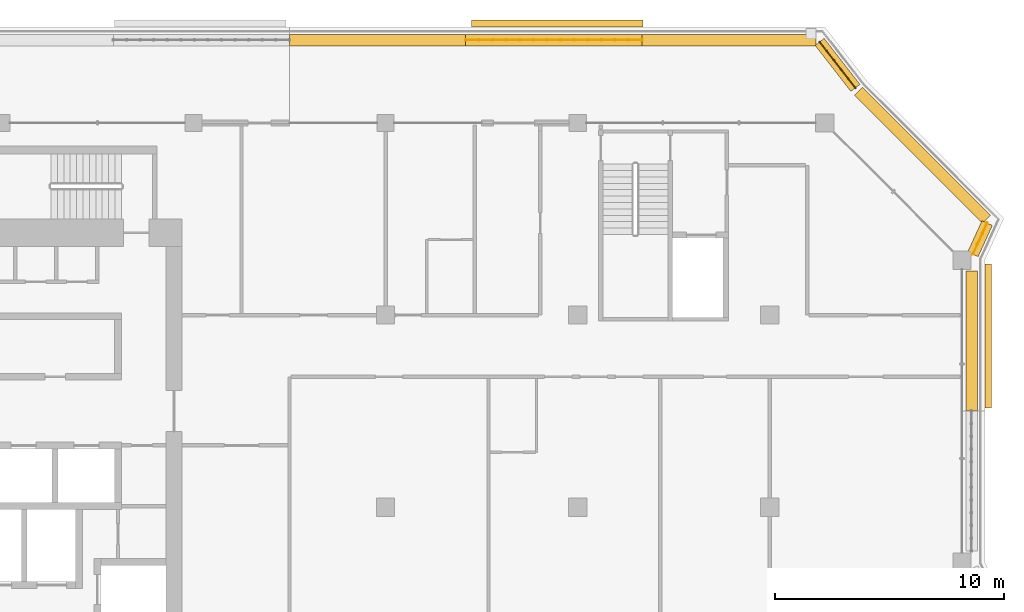
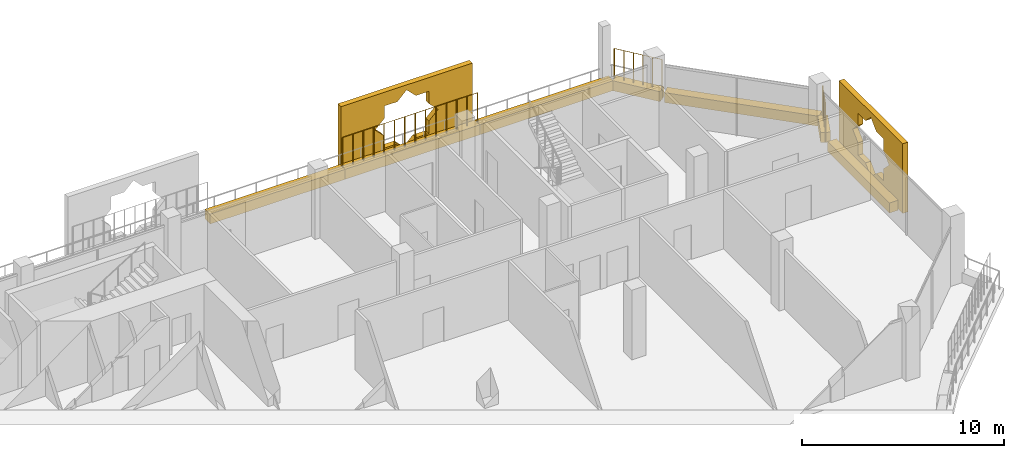
# One storey, part 21 of 21: 9 coverings, 3 railings.
"""IFC4 building model written with IfcOpenShell, lengths in metres."""

from ifc_helpers import new_model, si_unit, direction, frame, origin, origin_2d, place, context, subcontext, project, spatial, polyline, rectangle, circle, outline, extrude, material, material_profile, profile_set, type_object, element, save


model = new_model("IFC4")

# Units and contexts
model_context = context("Model", 3, precision=1e-05, world=origin(), true_north=direction((0.0, 1.0)))
body_context = subcontext(model_context, "Body", "Model", "MODEL_VIEW")
ifc_project = project(units=[si_unit("LENGTHUNIT", "METRE"), si_unit("AREAUNIT", "SQUARE_METRE"), si_unit("VOLUMEUNIT", "CUBIC_METRE"), si_unit("PLANEANGLEUNIT", "RADIAN"), si_unit("MASSUNIT", "GRAM", prefix="KILO")], contexts=[model_context])

# Site, building, storey
site_placement = place(None, origin())
site = spatial("IfcSite", under=ifc_project, at=site_placement, CompositionType="ELEMENT")
building_placement = place(site_placement, origin())
building = spatial("IfcBuilding", under=site, at=building_placement, Name="Kawkab Arch Medical Tower", CompositionType="ELEMENT")
storey_placement = place(building_placement, frame((0.0, 0.0, 323.800048828125)))
storey = spatial("IfcBuildingStorey", under=building, at=storey_placement, Name="L75", CompositionType="ELEMENT", Elevation=323.800048828125)

# Coverings
ifc_material_1 = material(Name="Bronze anodised aluminium mashrabiya panel, eight-point star pattern", Category="aluminium")
ifc_material_profile_1 = material_profile(ifc_material_1, outline(polyline([(-3.14990234375, -2.10009765625), (3.14990234375, -2.10009765625), (3.14990234375, 2.10009765625), (-3.14990234375, 2.10009765625), (-3.14990234375, -2.10009765625)]), holes=[polyline([(1.800048828125, 0.0), (1.272705078125, 0.527099609375), (1.272705078125, 1.272705078125), (0.527099609375, 1.272705078125), (0.0, 1.800048828125), (-0.527099609375, 1.272705078125), (-1.272705078125, 1.272705078125), (-1.272705078125, 0.527099609375), (-1.800048828125, 0.0), (-1.272705078125, -0.527099609375), (-1.272705078125, -1.272705078125), (-0.527099609375, -1.272705078125), (0.0, -1.800048828125), (0.527099609375, -1.272705078125), (1.272705078125, -1.272705078125), (1.272705078125, -0.527099609375), (1.800048828125, 0.0)])]), Name="Mashrabiya panel 6300x4200")
ifc_profile_set_1 = profile_set([ifc_material_profile_1], Name="Bronze anodised aluminium mashrabiya panel, eight-point star pattern")
covering_type_1 = type_object("IfcCoveringType", Name="Mashrabiya panel 6300 x 4200", PredefinedType="USERDEFINED", material=ifc_profile_set_1)
covering_1_placement = place(storey_placement, frame((59.800048828125, -9.31884765625, 1.699951171875), z_axis=(1.0, 0.0, 0.0), x_axis=(0.0, 1.0, 0.0)))
element("IfcCovering", 1, at=covering_1_placement, inside=storey, type_object=covering_type_1, Name="Mashrabiya panel L75.LOG-01-01.6", ObjectType="SCREEN", PredefinedType="USERDEFINED", context=body_context, shape_type="SweptSolid", body=[
    extrude(outline(polyline([(-3.14990234375, -2.10009765625), (3.14990234375, -2.10009765625), (3.14990234375, 2.10009765625), (-3.14990234375, 2.10009765625), (-3.14990234375, -2.10009765625)]), holes=[polyline([(1.800048828125, 0.0), (1.272705078125, 0.527099609375), (1.272705078125, 1.272705078125), (0.527099609375, 1.272705078125), (0.0, 1.800048828125), (-0.527099609375, 1.272705078125), (-1.272705078125, 1.272705078125), (-1.272705078125, 0.527099609375), (-1.800048828125, 0.0), (-1.272705078125, -0.527099609375), (-1.272705078125, -1.272705078125), (-0.527099609375, -1.272705078125), (0.0, -1.800048828125), (0.527099609375, -1.272705078125), (1.272705078125, -1.272705078125), (1.272705078125, -0.527099609375), (1.800048828125, 0.0)])]), origin(), (0.0, 0.0, 1.0), 0.300048828125),
])
ifc_material_2 = material(Name="Bronze anodised aluminium mashrabiya panel, eight-point star pattern", Category="aluminium")
ifc_material_profile_2 = material_profile(ifc_material_2, outline(polyline([(-3.75, -2.10009765625), (3.75, -2.10009765625), (3.75, 2.10009765625), (-3.75, 2.10009765625), (-3.75, -2.10009765625)]), holes=[polyline([(1.800048828125, 0.0), (1.272705078125, 0.527099609375), (1.272705078125, 1.272705078125), (0.527099609375, 1.272705078125), (0.0, 1.800048828125), (-0.527099609375, 1.272705078125), (-1.272705078125, 1.272705078125), (-1.272705078125, 0.527099609375), (-1.800048828125, 0.0), (-1.272705078125, -0.527099609375), (-1.272705078125, -1.272705078125), (-0.527099609375, -1.272705078125), (0.0, -1.800048828125), (0.527099609375, -1.272705078125), (1.272705078125, -1.272705078125), (1.272705078125, -0.527099609375), (1.800048828125, 0.0)])]), Name="Mashrabiya panel 7500x4200")
ifc_profile_set_2 = profile_set([ifc_material_profile_2], Name="Bronze anodised aluminium mashrabiya panel, eight-point star pattern")
covering_type_2 = type_object("IfcCoveringType", Name="Mashrabiya panel 7500 x 4200", PredefinedType="USERDEFINED", material=ifc_profile_set_2)
covering_2_placement = place(storey_placement, frame((41.09765625, 4.199951171875, 1.699951171875), z_axis=(0.0, 1.0, 0.0), x_axis=(-1.0, 0.0, 0.0)))
element("IfcCovering", 2, at=covering_2_placement, inside=storey, type_object=covering_type_2, Name="Mashrabiya panel L75.LOG-01-01.5", ObjectType="SCREEN", PredefinedType="USERDEFINED", context=body_context, shape_type="SweptSolid", body=[
    extrude(outline(polyline([(-3.75, -2.10009765625), (3.75, -2.10009765625), (3.75, 2.10009765625), (-3.75, 2.10009765625), (-3.75, -2.10009765625)]), holes=[polyline([(1.800048828125, 0.0), (1.272705078125, 0.527099609375), (1.272705078125, 1.272705078125), (0.527099609375, 1.272705078125), (0.0, 1.800048828125), (-0.527099609375, 1.272705078125), (-1.272705078125, 1.272705078125), (-1.272705078125, 0.527099609375), (-1.800048828125, 0.0), (-1.272705078125, -0.527099609375), (-1.272705078125, -1.272705078125), (-0.527099609375, -1.272705078125), (0.0, -1.800048828125), (0.527099609375, -1.272705078125), (1.272705078125, -1.272705078125), (1.272705078125, -0.527099609375), (1.800048828125, 0.0)])]), origin(), (0.0, 0.0, 1.0), 0.300048828125),
])
ifc_material_3 = material(Name="Planting soil in a precast trough", Category="concrete")
ifc_material_profile_3 = material_profile(ifc_material_3, rectangle(XDim=0.5, YDim=0.60009765625, at=origin_2d()), Name="Trough 500x600")
ifc_profile_set_3 = profile_set([ifc_material_profile_3], Name="Planting soil in a precast trough")
covering_type_3 = type_object("IfcCoveringType", Name="Planter trough 500 x 600", PredefinedType="USERDEFINED", material=ifc_profile_set_3)
covering_3_placement = place(storey_placement, frame((29.39990234375, 3.6201171875, 0.300048828125), z_axis=(1.0, 0.0, 0.0), x_axis=(0.0, 1.0, 0.0)))
element("IfcCovering", 3, at=covering_3_placement, inside=storey, type_object=covering_type_3, Name="Planter L75.LOG-01-01.16", ObjectType="PLANTER", PredefinedType="USERDEFINED", context=body_context, shape_type="SweptSolid", body=[
    extrude(rectangle(XDim=0.5, YDim=0.60009765625, at=origin_2d()), origin(), (0.0, 0.0, 1.0), 7.705078125),
])
covering_4_placement = place(storey_placement, frame((37.10498046875, 3.6201171875, 0.300048828125), z_axis=(1.0, 0.0, 0.0), x_axis=(0.0, 1.0, 0.0)))
element("IfcCovering", 4, at=covering_4_placement, inside=storey, type_object=covering_type_3, Name="Planter L75.LOG-01-01.17", ObjectType="PLANTER", PredefinedType="USERDEFINED", context=body_context, shape_type="SweptSolid", body=[
    extrude(rectangle(XDim=0.5, YDim=0.60009765625, at=origin_2d()), origin(), (0.0, 0.0, 1.0), 7.7060546875),
])
covering_5_placement = place(storey_placement, frame((44.81103515625, 3.6201171875, 0.300048828125), z_axis=(1.0, 0.0, 0.0), x_axis=(0.0, 1.0, 0.0)))
element("IfcCovering", 5, at=covering_5_placement, inside=storey, type_object=covering_type_3, Name="Planter L75.LOG-01-01.18", ObjectType="PLANTER", PredefinedType="USERDEFINED", context=body_context, shape_type="SweptSolid", body=[
    extrude(rectangle(XDim=0.5, YDim=0.60009765625, at=origin_2d()), origin(), (0.0, 0.0, 1.0), 7.60498046875),
])
covering_6_placement = place(storey_placement, frame((52.577880859375, 3.541015625, 0.300048828125), z_axis=(0.614099956103, -0.789228258436, 0.0), x_axis=(0.789228258436, 0.614099956103, 0.0)))
element("IfcCovering", 6, at=covering_6_placement, inside=storey, type_object=covering_type_3, Name="Planter L75.LOG-01-01.19", ObjectType="PLANTER", PredefinedType="USERDEFINED", context=body_context, shape_type="SweptSolid", body=[
    extrude(rectangle(XDim=0.5, YDim=0.60009765625, at=origin_2d()), origin(), (0.0, 0.0, 1.0), 2.545654296875),
])
covering_7_placement = place(storey_placement, frame((54.27294921875, 1.383056640625, 0.300048828125), z_axis=(0.707106781187, -0.707106781187, 0.0), x_axis=(0.707106781187, 0.707106781187, 0.0)))
element("IfcCovering", 7, at=covering_7_placement, inside=storey, type_object=covering_type_3, Name="Planter L75.LOG-01-01.20", ObjectType="PLANTER", PredefinedType="USERDEFINED", context=body_context, shape_type="SweptSolid", body=[
    extrude(rectangle(XDim=0.5, YDim=0.60009765625, at=origin_2d()), origin(), (0.0, 0.0, 1.0), 7.919677734375),
])
covering_8_placement = place(storey_placement, frame((59.902099609375, -4.37890625, 0.300048828125), z_axis=(-0.415189748133, -0.909734836667, 0.0), x_axis=(0.909734836667, -0.415189748133, 0.0)))
element("IfcCovering", 8, at=covering_8_placement, inside=storey, type_object=covering_type_3, Name="Planter L75.LOG-01-01.21", ObjectType="PLANTER", PredefinedType="USERDEFINED", context=body_context, shape_type="SweptSolid", body=[
    extrude(rectangle(XDim=0.5, YDim=0.60009765625, at=origin_2d()), origin(), (0.0, 0.0, 1.0), 1.498291015625),
])
covering_9_placement = place(storey_placement, frame((59.219970703125, -6.47998046875, 0.300048828125), z_axis=(0.0, -1.0, 0.0), x_axis=(1.0, 0.0, 0.0)))
element("IfcCovering", 9, at=covering_9_placement, inside=storey, type_object=covering_type_3, Name="Planter L75.LOG-01-01.22", ObjectType="PLANTER", PredefinedType="USERDEFINED", context=body_context, shape_type="SweptSolid", body=[
    extrude(rectangle(XDim=0.5, YDim=0.60009765625, at=origin_2d()), origin(), (0.0, 0.0, 1.0), 6.1201171875),
])

# Railings
ifc_material_4 = material(Name="Bronze anodised aluminium trellis for climbing plants", Category="aluminium")
railing_type = type_object("IfcRailingType", Name="Planting trellis 2400", PredefinedType="USERDEFINED", material=ifc_material_4)
railing_1_placement = place(storey_placement, frame((37.10498046875, 3.6201171875, 0.0)))
element("IfcRailing", 10, at=railing_1_placement, inside=storey, type_object=railing_type, Name="Planting trellis L75.LOG-01-01.17", ObjectType="TRELLIS", PredefinedType="USERDEFINED", context=body_context, shape_type="SweptSolid", body=[
    extrude(circle(Radius=0.01513671875, at=origin_2d()), frame((0.0, 0.0, 2.384765625), z_axis=(1.0, 0.0, 0.0), x_axis=(0.0, 1.0, 0.0)), (0.0, 0.0, 1.0), 7.7060546875),
    extrude(circle(Radius=0.030029296875, at=origin_2d()), origin(), (0.0, 0.0, 1.0), 2.369873046875),
    extrude(circle(Radius=0.030029296875, at=origin_2d()), frame((0.5927734375, 0.0, 0.0)), (0.0, 0.0, 1.0), 2.369873046875),
    extrude(circle(Radius=0.030029296875, at=origin_2d()), frame((1.185546875, 0.0, 0.0)), (0.0, 0.0, 1.0), 2.369873046875),
    extrude(circle(Radius=0.030029296875, at=origin_2d()), frame((1.7783203125, 0.0, 0.0)), (0.0, 0.0, 1.0), 2.369873046875),
    extrude(circle(Radius=0.030029296875, at=origin_2d()), frame((2.37109375, 0.0, 0.0)), (0.0, 0.0, 1.0), 2.369873046875),
    extrude(circle(Radius=0.030029296875, at=origin_2d()), frame((2.9638671875, 0.0, 0.0)), (0.0, 0.0, 1.0), 2.369873046875),
    extrude(circle(Radius=0.030029296875, at=origin_2d()), frame((3.556640625, 0.0, 0.0)), (0.0, 0.0, 1.0), 2.369873046875),
    extrude(circle(Radius=0.030029296875, at=origin_2d()), frame((4.1494140625, 0.0, 0.0)), (0.0, 0.0, 1.0), 2.369873046875),
    extrude(circle(Radius=0.030029296875, at=origin_2d()), frame((4.7421875, 0.0, 0.0)), (0.0, 0.0, 1.0), 2.369873046875),
    extrude(circle(Radius=0.030029296875, at=origin_2d()), frame((5.3349609375, 0.0, 0.0)), (0.0, 0.0, 1.0), 2.369873046875),
    extrude(circle(Radius=0.030029296875, at=origin_2d()), frame((5.927734375, 0.0, 0.0)), (0.0, 0.0, 1.0), 2.369873046875),
    extrude(circle(Radius=0.030029296875, at=origin_2d()), frame((6.5205078125, 0.0, 0.0)), (0.0, 0.0, 1.0), 2.369873046875),
    extrude(circle(Radius=0.030029296875, at=origin_2d()), frame((7.11328125, 0.0, 0.0)), (0.0, 0.0, 1.0), 2.369873046875),
    extrude(circle(Radius=0.030029296875, at=origin_2d()), frame((7.7060546875, 0.0, 0.0)), (0.0, 0.0, 1.0), 2.369873046875),
])
railing_2_placement = place(storey_placement, frame((52.577880859375, 3.541015625, 0.0)))
element("IfcRailing", 11, at=railing_2_placement, inside=storey, type_object=railing_type, Name="Planting trellis L75.LOG-01-01.19", ObjectType="TRELLIS", PredefinedType="USERDEFINED", context=body_context, shape_type="SweptSolid", body=[
    extrude(circle(Radius=0.01513671875, at=origin_2d()), frame((0.0, 0.0, 2.384765625), z_axis=(0.614099956103, -0.789228258436, 0.0), x_axis=(0.789228258436, 0.614099956103, 0.0)), (0.0, 0.0, 1.0), 2.545654296875),
    extrude(circle(Radius=0.030029296875, at=origin_2d()), origin(), (0.0, 0.0, 1.0), 2.369873046875),
    extrude(circle(Radius=0.030029296875, at=origin_2d()), frame((0.312744140625, -0.40185546875, 0.0)), (0.0, 0.0, 1.0), 2.369873046875),
    extrude(circle(Radius=0.030029296875, at=origin_2d()), frame((0.625244140625, -0.8037109375, 0.0)), (0.0, 0.0, 1.0), 2.369873046875),
    extrude(circle(Radius=0.030029296875, at=origin_2d()), frame((0.93798828125, -1.205322265625, 0.0)), (0.0, 0.0, 1.0), 2.369873046875),
    extrude(circle(Radius=0.030029296875, at=origin_2d()), frame((1.25048828125, -1.607177734375, 0.0)), (0.0, 0.0, 1.0), 2.369873046875),
    extrude(circle(Radius=0.030029296875, at=origin_2d()), frame((1.563232421875, -2.009033203125, 0.0)), (0.0, 0.0, 1.0), 2.369873046875),
])
railing_3_placement = place(storey_placement, frame((59.902099609375, -4.37890625, 0.0)))
element("IfcRailing", 12, at=railing_3_placement, inside=storey, type_object=railing_type, Name="Planting trellis L75.LOG-01-01.21", ObjectType="TRELLIS", PredefinedType="USERDEFINED", context=body_context, shape_type="SweptSolid", body=[
    extrude(circle(Radius=0.01513671875, at=origin_2d()), frame((0.0, 0.0, 2.384765625), z_axis=(-0.415189748133, -0.909734836667, 0.0), x_axis=(0.909734836667, -0.415189748133, 0.0)), (0.0, 0.0, 1.0), 1.498291015625),
    extrude(circle(Radius=0.030029296875, at=origin_2d()), origin(), (0.0, 0.0, 1.0), 2.369873046875),
    extrude(circle(Radius=0.030029296875, at=origin_2d()), frame((-0.207275390625, -0.454345703125, 0.0)), (0.0, 0.0, 1.0), 2.369873046875),
    extrude(circle(Radius=0.030029296875, at=origin_2d()), frame((-0.414794921875, -0.90869140625, 0.0)), (0.0, 0.0, 1.0), 2.369873046875),
    extrude(circle(Radius=0.030029296875, at=origin_2d()), frame((-0.6220703125, -1.363037109375, 0.0)), (0.0, 0.0, 1.0), 2.369873046875),
])

save(model, "model.ifc")
